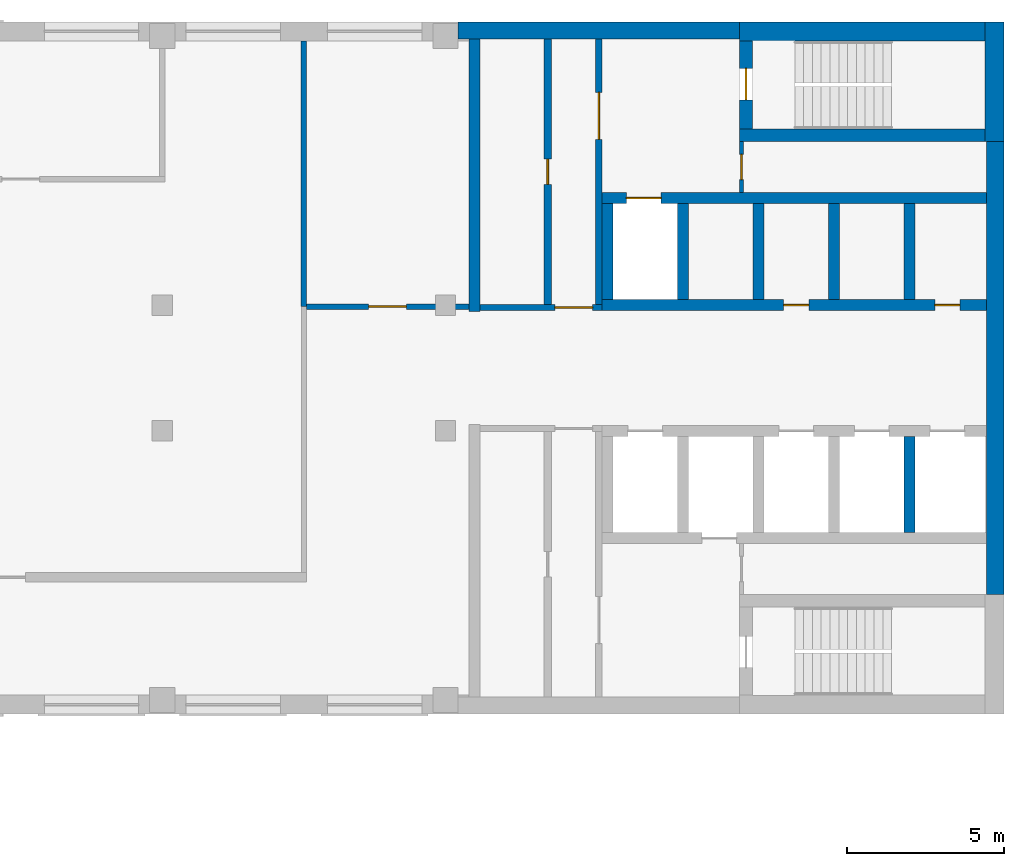
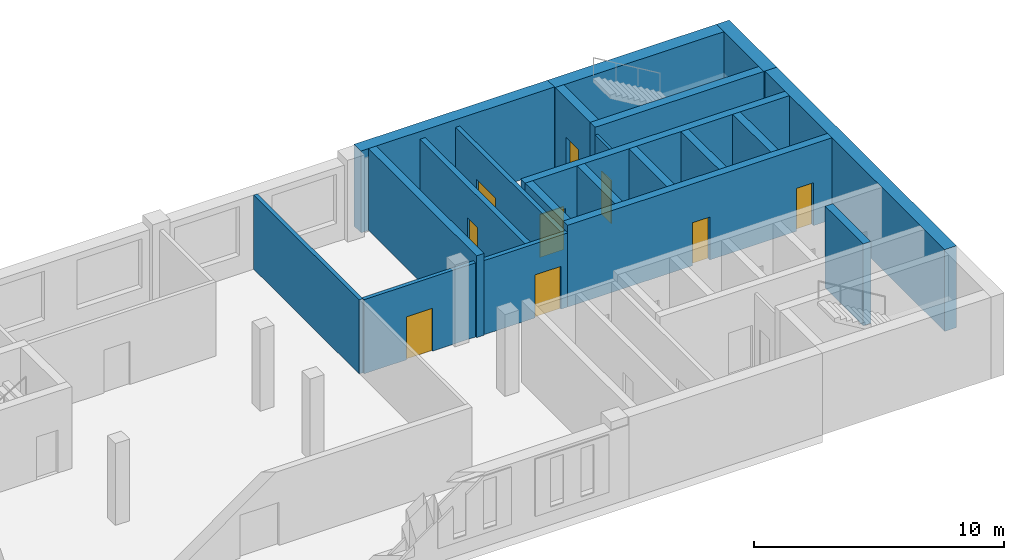
# One storey, part 6 of 8: 21 walls, 9 doors, 9 openings.
"""IFC4 building model written with IfcOpenShell, lengths in metres."""

from ifc_helpers import new_model, si_unit, direction, frame, frame_2d, origin, place, context, subcontext, project, spatial, rectangle, extrude, material, layer, layer_set, type_object, element, fill, save


model = new_model("IFC4")

# Units and contexts
model_context = context("Model", 3, precision=1e-05, world=origin(), true_north=direction((0.0, 1.0)))
body_context = subcontext(model_context, "Body", "Model", "MODEL_VIEW")
ifc_project = project(units=[si_unit("LENGTHUNIT", "METRE"), si_unit("AREAUNIT", "SQUARE_METRE"), si_unit("VOLUMEUNIT", "CUBIC_METRE"), si_unit("PLANEANGLEUNIT", "RADIAN"), si_unit("MASSUNIT", "GRAM", prefix="KILO")], contexts=[model_context])

# Site, building, storey
site_placement = place(None, origin())
site = spatial("IfcSite", under=ifc_project, at=site_placement, CompositionType="ELEMENT")
building_placement = place(site_placement, origin())
building = spatial("IfcBuilding", under=site, at=building_placement, Name="Skarvind Civic Tower", CompositionType="ELEMENT")
storey_placement = place(building_placement, frame((0.0, 0.0, 150.5)))
storey = spatial("IfcBuildingStorey", under=building, at=storey_placement, Name="L35", CompositionType="ELEMENT", Elevation=150.5)

# Wall
ifc_material_1 = material(Name="Acoustic gypsum board on steel studs", Category="steel")
ifc_layer_1 = layer(ifc_material_1, 0.175048828125)
ifc_layer_set_1 = layer_set([ifc_layer_1], Name="ACOUSTIC MEETING-ROOM PARTITION 175")
wall_type_1 = type_object("IfcWallType", Name="ACOUSTIC MEETING-ROOM PARTITION 175", PredefinedType="PARTITIONING", material=ifc_layer_set_1)
wall_1_placement = place(storey_placement, frame((85.75, 129.949951171875, 0.0), z_axis=(0.0, 0.0, 1.0), x_axis=(0.0, 1.0, 0.0)))
element("IfcWall", 1, at=wall_1_placement, inside=storey, type_object=wall_type_1, Name="Partition 35.044", PredefinedType="PARTITIONING", context=body_context, shape_type="SweptSolid", body=[
    extrude(rectangle(XDim=8.449951171875, YDim=0.175048828125, at=frame_2d((4.22509765625, 0.0))), origin(), (0.0, 0.0, 1.0), 3.625),
])

# Wall, opening, door
wall_2_placement = place(storey_placement, frame((85.837890625, 129.949951171875, 0.0), z_axis=(0.0, 0.0, 1.0), x_axis=(1.0, 0.0, 0.0)))
wall_2 = element("IfcWall", 2, at=wall_2_placement, inside=storey, type_object=wall_type_1, Name="Partition 35.045", PredefinedType="PARTITIONING", context=body_context, shape_type="SweptSolid", body=[
    extrude(rectangle(XDim=5.162109375, YDim=0.175048828125, at=frame_2d((2.5810546875, 0.0))), origin(), (0.0, 0.0, 1.0), 3.625),
])
opening_1_placement = place(wall_2_placement, frame((1.970947265625, 0.0, 0.0)))
opening_1 = element("IfcOpeningElement", 3, at=opening_1_placement, cuts=wall_2, Name="Opening L35-D001", PredefinedType="OPENING", context=body_context, shape_type="SweptSolid", body=[
    extrude(rectangle(XDim=1.199951171875, YDim=2.10009765625, at=frame_2d((0.60009765625, 1.050048828125))), frame((0.0, 0.097412109375, 0.0), z_axis=(0.0, -1.0, 0.0), x_axis=(1.0, 0.0, 0.0)), (0.0, 0.0, 1.0), 0.195068359375),
])
ifc_material_2 = material(Name="Timber door leaf", Category="wood")
door_type_1 = type_object("IfcDoorType", Name="DOOR 1200X2100 DOUBLE TIMBER", OperationType="NOTDEFINED", PredefinedType="DOOR", material=ifc_material_2)
door_1_placement = place(opening_1_placement, origin())
door_1 = element("IfcDoor", 4, at=door_1_placement, inside=storey, type_object=door_type_1, Name="Door L35-D001", OperationType="DOUBLE_DOOR_SINGLE_SWING", OverallHeight=2.10009765625, OverallWidth=1.199951171875, PredefinedType="DOOR", context=body_context, shape_type="SweptSolid", body=[
    extrude(rectangle(XDim=1.199951171875, YDim=2.10009765625, at=frame_2d((0.60009765625, 1.050048828125))), frame((0.0, 0.02490234375, 0.0), z_axis=(0.0, -1.0, 0.0), x_axis=(1.0, 0.0, 0.0)), (0.0, 0.0, 1.0), 0.050048828125),
])
fill(opening_1, door_1)

ifc_material_3 = material(Name="Fire-rated masonry partition", Category="masonry")
ifc_layer_2 = layer(ifc_material_3, 0.199951171875)
ifc_layer_set_2 = layer_set([ifc_layer_2], Name="Core enclosure wall 200")
wall_type_2 = type_object("IfcWallType", Name="Core enclosure wall 200", PredefinedType="PARTITIONING", material=ifc_layer_set_2)
wall_3_placement = place(storey_placement, frame((91.35009765625, 129.925048828125, 0.0), z_axis=(0.0, 0.0, 1.0), x_axis=(1.0, 0.0, 0.0)))
wall_3 = element("IfcWall", 5, at=wall_3_placement, inside=storey, type_object=wall_type_2, Name="Core wall C1", PredefinedType="PARTITIONING", context=body_context, shape_type="SweptSolid", body=[
    extrude(rectangle(XDim=3.875, YDim=0.199951171875, at=frame_2d((1.9375, 0.0))), origin(), (0.0, 0.0, 1.0), 3.625),
])
opening_2_placement = place(wall_3_placement, frame((2.375, 0.0, 0.0)))
opening_2 = element("IfcOpeningElement", 6, at=opening_2_placement, cuts=wall_3, Name="Opening D-L35-C1-12", PredefinedType="OPENING", context=body_context, shape_type="SweptSolid", body=[
    extrude(rectangle(XDim=1.199951171875, YDim=2.10009765625, at=frame_2d((0.60009765625, 1.050048828125))), frame((0.0, 0.10986328125, 0.0), z_axis=(0.0, -1.0, 0.0), x_axis=(1.0, 0.0, 0.0)), (0.0, 0.0, 1.0), 0.219970703125),
])
ifc_material_4 = material(Name="Fire-rated steel door", Category="steel")
door_type_2 = type_object("IfcDoorType", Name="Core lobby door 1200", OperationType="NOTDEFINED", PredefinedType="DOOR", material=ifc_material_4)
door_2_placement = place(opening_2_placement, origin())
door_2 = element("IfcDoor", 7, at=door_2_placement, inside=storey, type_object=door_type_2, Name="Fire door", OperationType="DOUBLE_DOOR_SINGLE_SWING", OverallHeight=2.10009765625, OverallWidth=1.199951171875, PredefinedType="DOOR", context=body_context, shape_type="SweptSolid", body=[
    extrude(rectangle(XDim=1.199951171875, YDim=2.10009765625, at=frame_2d((0.60009765625, 1.050048828125))), frame((0.0, 0.02490234375, 0.0), z_axis=(0.0, -1.0, 0.0), x_axis=(1.0, 0.0, 0.0)), (0.0, 0.0, 1.0), 0.050048828125),
])
fill(opening_2, door_2)

wall_4_placement = place(storey_placement, frame((95.125, 130.02490234375, 0.0), z_axis=(0.0, 0.0, 1.0), x_axis=(0.0, 1.0, 0.0)))
wall_4 = element("IfcWall", 8, at=wall_4_placement, inside=storey, type_object=wall_type_2, Name="Core wall C1", PredefinedType="PARTITIONING", context=body_context, shape_type="SweptSolid", body=[
    extrude(rectangle(XDim=8.425048828125, YDim=0.199951171875, at=frame_2d((4.21240234375, 0.0))), origin(), (0.0, 0.0, 1.0), 3.625),
])
opening_3_placement = place(wall_4_placement, frame((5.237548828125, 0.0, 0.0)))
opening_3 = element("IfcOpeningElement", 9, at=opening_3_placement, cuts=wall_4, Name="Opening D-L35-C1-13", PredefinedType="OPENING", context=body_context, shape_type="SweptSolid", body=[
    extrude(rectangle(XDim=1.5, YDim=2.10009765625, at=frame_2d((0.75, 1.050048828125))), frame((0.0, 0.10986328125, 0.0), z_axis=(0.0, -1.0, 0.0), x_axis=(1.0, 0.0, 0.0)), (0.0, 0.0, 1.0), 0.219970703125),
])
door_type_3 = type_object("IfcDoorType", Name="Fire door 1500", OperationType="NOTDEFINED", PredefinedType="DOOR", material=ifc_material_4)
door_3_placement = place(opening_3_placement, origin())
door_3 = element("IfcDoor", 10, at=door_3_placement, inside=storey, type_object=door_type_3, Name="Fire door", OperationType="DOUBLE_DOOR_SINGLE_SWING", OverallHeight=2.10009765625, OverallWidth=1.5, PredefinedType="DOOR", context=body_context, shape_type="SweptSolid", body=[
    extrude(rectangle(XDim=1.5, YDim=2.10009765625, at=frame_2d((0.75, 1.050048828125))), frame((0.0, 0.02490234375, 0.0), z_axis=(0.0, -1.0, 0.0), x_axis=(1.0, 0.0, 0.0)), (0.0, 0.0, 1.0), 0.050048828125),
])
fill(opening_3, door_3)

# Wall, openings, doors
ifc_material_5 = material(Name="Concrete C60", Category="concrete")
ifc_layer_3 = layer(ifc_material_5, 0.35009765625)
ifc_layer_set_3 = layer_set([ifc_layer_3], Name="Core wall 350 C60")
wall_type_3 = type_object("IfcWallType", Name="Core wall 350 C60", PredefinedType="SHEAR", material=ifc_layer_set_3)
wall_5_placement = place(storey_placement, frame((107.449951171875, 130.0, 0.0), z_axis=(0.0, 0.0, 1.0), x_axis=(-1.0, 0.0, 0.0)))
wall_5 = element("IfcWall", 11, at=wall_5_placement, inside=storey, type_object=wall_type_3, Name="Core wall C1 south lift row front L35", PredefinedType="SHEAR", context=body_context, shape_type="SweptSolid", body=[
    extrude(rectangle(XDim=12.224853515625, YDim=0.35009765625, at=frame_2d((6.1123046875, 0.0))), origin(), (0.0, 0.0, 1.0), 4.0),
])
opening_4_placement = place(wall_5_placement, frame((0.85009765625, 0.0, 0.0)))
opening_4 = element("IfcOpeningElement", 12, at=opening_4_placement, cuts=wall_5, Name="Opening D-L35-C1-05", PredefinedType="OPENING", context=body_context, shape_type="SweptSolid", body=[
    extrude(rectangle(XDim=0.800048828125, YDim=2.10009765625, at=frame_2d((0.39990234375, 1.050048828125))), frame((0.0, 0.18505859375, 0.0), z_axis=(0.0, -1.0, 0.0), x_axis=(1.0, 0.0, 0.0)), (0.0, 0.0, 1.0), 0.3701171875),
])
opening_5_placement = place(wall_5_placement, frame((5.64990234375, 0.0, 0.0)))
opening_5 = element("IfcOpeningElement", 13, at=opening_5_placement, cuts=wall_5, Name="Opening D-L35-C1-06", PredefinedType="OPENING", context=body_context, shape_type="SweptSolid", body=[
    extrude(rectangle(XDim=0.800048828125, YDim=2.10009765625, at=frame_2d((0.39990234375, 1.050048828125))), frame((0.0, 0.18505859375, 0.0), z_axis=(0.0, -1.0, 0.0), x_axis=(1.0, 0.0, 0.0)), (0.0, 0.0, 1.0), 0.3701171875),
])
door_type_4 = type_object("IfcDoorType", Name="Core riser door 800", OperationType="NOTDEFINED", PredefinedType="DOOR", material=ifc_material_4)
door_4_placement = place(opening_4_placement, origin())
door_4 = element("IfcDoor", 14, at=door_4_placement, inside=storey, type_object=door_type_4, Name="Riser door", OperationType="SINGLE_SWING_LEFT", OverallHeight=2.10009765625, OverallWidth=0.800048828125, PredefinedType="DOOR", context=body_context, shape_type="SweptSolid", body=[
    extrude(rectangle(XDim=0.800048828125, YDim=2.10009765625, at=frame_2d((0.39990234375, 1.050048828125))), frame((0.0, 0.02490234375, 0.0), z_axis=(0.0, -1.0, 0.0), x_axis=(1.0, 0.0, 0.0)), (0.0, 0.0, 1.0), 0.050048828125),
])
fill(opening_4, door_4)
door_5_placement = place(opening_5_placement, origin())
door_5 = element("IfcDoor", 15, at=door_5_placement, inside=storey, type_object=door_type_4, Name="Riser door", OperationType="SINGLE_SWING_RIGHT", OverallHeight=2.10009765625, OverallWidth=0.800048828125, PredefinedType="DOOR", context=body_context, shape_type="SweptSolid", body=[
    extrude(rectangle(XDim=0.800048828125, YDim=2.10009765625, at=frame_2d((0.39990234375, 1.050048828125))), frame((0.0, 0.02490234375, 0.0), z_axis=(0.0, -1.0, 0.0), x_axis=(1.0, 0.0, 0.0)), (0.0, 0.0, 1.0), 0.050048828125),
])
fill(opening_5, door_5)

# Wall, opening, door
wall_6_placement = place(storey_placement, frame((107.449951171875, 133.39990234375, 0.0), z_axis=(0.0, 0.0, 1.0), x_axis=(-1.0, 0.0, 0.0)))
wall_6 = element("IfcWall", 16, at=wall_6_placement, inside=storey, type_object=wall_type_3, Name="Core wall C1 south lift row back L35", PredefinedType="SHEAR", context=body_context, shape_type="SweptSolid", body=[
    extrude(rectangle(XDim=12.224853515625, YDim=0.35009765625, at=frame_2d((6.1123046875, 0.0))), origin(), (0.0, 0.0, 1.0), 4.0),
])
opening_6_placement = place(wall_6_placement, frame((10.35009765625, 0.0, 0.0)))
opening_6 = element("IfcOpeningElement", 17, at=opening_6_placement, cuts=wall_6, Name="Opening LD37110", PredefinedType="OPENING", context=body_context, shape_type="SweptSolid", body=[
    extrude(rectangle(XDim=1.10009765625, YDim=2.10009765625, at=frame_2d((0.550048828125, 1.050048828125))), frame((0.0, 0.18505859375, 0.0), z_axis=(0.0, -1.0, 0.0), x_axis=(1.0, 0.0, 0.0)), (0.0, 0.0, 1.0), 0.3701171875),
])
ifc_material_6 = material(Name="Stainless steel landing door", Category="steel")
door_type_5 = type_object("IfcDoorType", Name="Lift landing door 1100", OperationType="DOUBLE_DOOR_SLIDING", PredefinedType="DOOR", material=ifc_material_6)
door_6_placement = place(opening_6_placement, origin())
door_6 = element("IfcDoor", 18, at=door_6_placement, inside=storey, type_object=door_type_5, Name="Lift landing door", OperationType="DOUBLE_DOOR_SLIDING", OverallHeight=2.10009765625, OverallWidth=1.10009765625, PredefinedType="DOOR", context=body_context, shape_type="SweptSolid", body=[
    extrude(rectangle(XDim=1.10009765625, YDim=2.10009765625, at=frame_2d((0.550048828125, 1.050048828125))), frame((0.0, 0.02490234375, 0.0), z_axis=(0.0, -1.0, 0.0), x_axis=(1.0, 0.0, 0.0)), (0.0, 0.0, 1.0), 0.050048828125),
])
fill(opening_6, door_6)

# Walls
for number, where, z_axis, x_axis, name in (
    (19, (105.0, 133.22509765625, 0.0), (0.0, 0.0, 1.0), (0.0, -1.0, 0.0), "Core wall C1 south lift row division 1 L35"),
    (20, (102.60009765625, 133.22509765625, 0.0), (0.0, 0.0, 1.0), (0.0, -1.0, 0.0), "Core wall C1 south lift row division 2 L35"),
    (21, (100.199951171875, 133.22509765625, 0.0), (0.0, 0.0, 1.0), (0.0, -1.0, 0.0), "Core wall C1 south lift row division 3 L35"),
    (22, (97.800048828125, 133.22509765625, 0.0), (0.0, 0.0, 1.0), (0.0, -1.0, 0.0), "Core wall C1 south lift row division 4 L35"),
    (23, (95.39990234375, 133.22509765625, 0.0), (0.0, 0.0, 1.0), (0.0, -1.0, 0.0), "Core wall C1 south lift row division 5 L35"),
    (24, (105.0, 125.824951171875, 0.0), (0.0, 0.0, 1.0), (0.0, -1.0, 0.0), "Core wall C1 north lift row division 1 L35"),
):
    element("IfcWall", number, at=place(storey_placement, frame(where, z_axis=z_axis, x_axis=x_axis)), inside=storey, type_object=wall_type_3, Name=name, PredefinedType="SHEAR", context=body_context, shape_type="SweptSolid", body=[
        extrude(rectangle(XDim=3.050048828125, YDim=0.35009765625, at=frame_2d((1.52490234375, 0.0))), origin(), (0.0, 0.0, 1.0), 4.0),
    ])
wall_7_placement = place(storey_placement, frame((91.175048828125, 138.449951171875, 0.0), z_axis=(0.0, 0.0, 1.0), x_axis=(0.0, -1.0, 0.0)))
element("IfcWall", 25, at=wall_7_placement, inside=storey, type_object=wall_type_3, Name="Core wall C1 south inner face L35", PredefinedType="SHEAR", context=body_context, shape_type="SweptSolid", body=[
    extrude(rectangle(XDim=8.64990234375, YDim=0.35009765625, at=frame_2d((4.324951171875, 0.0))), origin(), (0.0, 0.0, 1.0), 4.0),
])
ifc_layer_4 = layer(ifc_material_5, 0.39990234375)
ifc_layer_set_4 = layer_set([ifc_layer_4], Name="Core wall 400 C60")
wall_type_4 = type_object("IfcWallType", Name="Core wall 400 C60", PredefinedType="SHEAR", material=ifc_layer_set_4)
wall_8_placement = place(storey_placement, frame((107.39990234375, 135.39990234375, 0.0), z_axis=(0.0, 0.0, 1.0), x_axis=(-1.0, 0.0, 0.0)))
element("IfcWall", 26, at=wall_8_placement, inside=storey, type_object=wall_type_4, Name="Core wall C1 south stair inner L35", PredefinedType="SHEAR", context=body_context, shape_type="SweptSolid", body=[
    extrude(rectangle(XDim=7.7998046875, YDim=0.39990234375, at=frame_2d((3.89990234375, 0.0))), origin(), (0.0, 0.0, 1.0), 4.0),
])

# Wall, opening, door
wall_9_placement = place(storey_placement, frame((99.800048828125, 138.39990234375, 0.0), z_axis=(0.0, 0.0, 1.0), x_axis=(0.0, -1.0, 0.0)))
wall_9 = element("IfcWall", 27, at=wall_9_placement, inside=storey, type_object=wall_type_4, Name="Core wall C1 south stair end L35", PredefinedType="SHEAR", context=body_context, shape_type="SweptSolid", body=[
    extrude(rectangle(XDim=2.7998046875, YDim=0.39990234375, at=frame_2d((1.39990234375, 0.0))), origin(), (0.0, 0.0, 1.0), 4.0),
])
opening_7_placement = place(wall_9_placement, frame((0.875, 0.0, 0.0)))
opening_7 = element("IfcOpeningElement", 28, at=opening_7_placement, cuts=wall_9, Name="Opening D-L35-C1-14", PredefinedType="OPENING", context=body_context, shape_type="SweptSolid", body=[
    extrude(rectangle(XDim=1.0, YDim=2.10009765625, at=frame_2d((0.5, 1.050048828125))), frame((0.0, 0.2099609375, 0.0), z_axis=(0.0, -1.0, 0.0), x_axis=(1.0, 0.0, 0.0)), (0.0, 0.0, 1.0), 0.419921875),
])
door_type_6 = type_object("IfcDoorType", Name="Fire door 1000", OperationType="NOTDEFINED", PredefinedType="DOOR", material=ifc_material_4)
door_7_placement = place(opening_7_placement, origin())
door_7 = element("IfcDoor", 29, at=door_7_placement, inside=storey, type_object=door_type_6, Name="Fire door", OperationType="SINGLE_SWING_RIGHT", OverallHeight=2.10009765625, OverallWidth=1.0, PredefinedType="DOOR", context=body_context, shape_type="SweptSolid", body=[
    extrude(rectangle(XDim=1.0, YDim=2.10009765625, at=frame_2d((0.5, 1.050048828125))), frame((0.0, 0.02490234375, 0.0), z_axis=(0.0, -1.0, 0.0), x_axis=(1.0, 0.0, 0.0)), (0.0, 0.0, 1.0), 0.050048828125),
])
fill(opening_7, door_7)

# Walls
ifc_layer_5 = layer(ifc_material_5, 0.550048828125)
ifc_layer_set_5 = layer_set([ifc_layer_5], Name="Core wall 550 C60")
wall_type_5 = type_object("IfcWallType", Name="Core wall 550 C60", PredefinedType="SHEAR", material=ifc_layer_set_5)
wall_10_placement = place(storey_placement, frame((107.72509765625, 135.199951171875, 0.0), z_axis=(0.0, 0.0, 1.0), x_axis=(0.0, -1.0, 0.0)))
element("IfcWall", 30, at=wall_10_placement, inside=storey, type_object=wall_type_5, Name="Core wall C1 tip between the stairs L35", PredefinedType="SHEAR", context=body_context, shape_type="SweptSolid", body=[
    extrude(rectangle(XDim=14.39990234375, YDim=0.550048828125, at=frame_2d((7.199951171875, 0.0))), origin(), (0.0, 0.0, 1.0), 4.0),
])
wall_11_placement = place(storey_placement, frame((99.60009765625, 138.72509765625, 0.0), z_axis=(0.0, 0.0, 1.0), x_axis=(-1.0, 0.0, 0.0)))
element("IfcWall", 31, at=wall_11_placement, inside=storey, type_object=wall_type_5, Name="Core wall C1 south side L35", PredefinedType="SHEAR", context=body_context, shape_type="SweptSolid", body=[
    extrude(rectangle(XDim=8.9501953125, YDim=0.550048828125, at=frame_2d((4.47509765625, 0.0))), origin(), (0.0, 0.0, 1.0), 4.0),
])
ifc_layer_6 = layer(ifc_material_5, 0.60009765625)
ifc_layer_set_6 = layer_set([ifc_layer_6], Name="Core wall 600 C60")
wall_type_6 = type_object("IfcWallType", Name="Core wall 600 C60", PredefinedType="SHEAR", material=ifc_layer_set_6)
wall_12_placement = place(storey_placement, frame((107.699951171875, 139.0, 0.0), z_axis=(0.0, 0.0, 1.0), x_axis=(0.0, -1.0, 0.0)))
element("IfcWall", 32, at=wall_12_placement, inside=storey, type_object=wall_type_6, Name="Core wall C1 tip at the south stair L35", PredefinedType="SHEAR", context=body_context, shape_type="SweptSolid", body=[
    extrude(rectangle(XDim=3.800048828125, YDim=0.60009765625, at=frame_2d((1.89990234375, 0.0))), origin(), (0.0, 0.0, 1.0), 4.0),
])
wall_13_placement = place(storey_placement, frame((107.39990234375, 138.699951171875, 0.0), z_axis=(0.0, 0.0, 1.0), x_axis=(-1.0, 0.0, 0.0)))
element("IfcWall", 33, at=wall_13_placement, inside=storey, type_object=wall_type_6, Name="Core wall C1 south side at the stair L35", PredefinedType="SHEAR", context=body_context, shape_type="SweptSolid", body=[
    extrude(rectangle(XDim=7.7998046875, YDim=0.60009765625, at=frame_2d((3.89990234375, 0.0))), origin(), (0.0, 0.0, 1.0), 4.0),
])

# Wall, opening, door
ifc_layer_7 = layer(ifc_material_3, 0.125)
ifc_layer_set_7 = layer_set([ifc_layer_7], Name="Riser wall 125")
wall_type_7 = type_object("IfcWallType", Name="Riser wall 125", PredefinedType="PARTITIONING", material=ifc_layer_set_7)
wall_14_placement = place(storey_placement, frame((99.66259765625, 133.574951171875, 0.0), z_axis=(0.0, 0.0, 1.0), x_axis=(0.0, 1.0, 0.0)))
wall_14 = element("IfcWall", 34, at=wall_14_placement, inside=storey, type_object=wall_type_7, Name="Core wall C1", PredefinedType="PARTITIONING", context=body_context, shape_type="SweptSolid", body=[
    extrude(rectangle(XDim=1.625, YDim=0.125, at=frame_2d((0.8125, 0.0))), origin(), (0.0, 0.0, 1.0), 3.625),
])
opening_8_placement = place(wall_14_placement, frame((0.41259765625, 0.0, 0.0)))
opening_8 = element("IfcOpeningElement", 35, at=opening_8_placement, cuts=wall_14, Name="Opening D-L35-C1-15", PredefinedType="OPENING", context=body_context, shape_type="SweptSolid", body=[
    extrude(rectangle(XDim=0.800048828125, YDim=2.10009765625, at=frame_2d((0.39990234375, 1.050048828125))), frame((0.0, 0.072509765625, 0.0), z_axis=(0.0, -1.0, 0.0), x_axis=(1.0, 0.0, 0.0)), (0.0, 0.0, 1.0), 0.14501953125),
])
door_8_placement = place(opening_8_placement, origin())
door_8 = element("IfcDoor", 36, at=door_8_placement, inside=storey, type_object=door_type_4, Name="Riser door", OperationType="SINGLE_SWING_LEFT", OverallHeight=2.10009765625, OverallWidth=0.800048828125, PredefinedType="DOOR", context=body_context, shape_type="SweptSolid", body=[
    extrude(rectangle(XDim=0.800048828125, YDim=2.10009765625, at=frame_2d((0.39990234375, 1.050048828125))), frame((0.0, 0.02490234375, 0.0), z_axis=(0.0, -1.0, 0.0), x_axis=(1.0, 0.0, 0.0)), (0.0, 0.0, 1.0), 0.050048828125),
])
fill(opening_8, door_8)

ifc_layer_8 = layer(ifc_material_3, 0.25)
ifc_layer_set_8 = layer_set([ifc_layer_8], Name="Service block wall 250")
wall_type_8 = type_object("IfcWallType", Name="Service block wall 250", PredefinedType="PARTITIONING", material=ifc_layer_set_8)
wall_15_placement = place(storey_placement, frame((93.5, 130.02490234375, 0.0), z_axis=(0.0, 0.0, 1.0), x_axis=(0.0, 1.0, 0.0)))
wall_15 = element("IfcWall", 37, at=wall_15_placement, inside=storey, type_object=wall_type_8, Name="Core wall C1", PredefinedType="PARTITIONING", context=body_context, shape_type="SweptSolid", body=[
    extrude(rectangle(XDim=8.425048828125, YDim=0.25, at=frame_2d((4.21240234375, 0.0))), origin(), (0.0, 0.0, 1.0), 3.625),
])
opening_9_placement = place(wall_15_placement, frame((3.8125, 0.0, 0.0)))
opening_9 = element("IfcOpeningElement", 38, at=opening_9_placement, cuts=wall_15, Name="Opening D-L35-C1-16", PredefinedType="OPENING", context=body_context, shape_type="SweptSolid", body=[
    extrude(rectangle(XDim=0.800048828125, YDim=2.10009765625, at=frame_2d((0.39990234375, 1.050048828125))), frame((0.0, 0.135009765625, 0.0), z_axis=(0.0, -1.0, 0.0), x_axis=(1.0, 0.0, 0.0)), (0.0, 0.0, 1.0), 0.27001953125),
])
door_9_placement = place(opening_9_placement, origin())
door_9 = element("IfcDoor", 39, at=door_9_placement, inside=storey, type_object=door_type_4, Name="Riser door", OperationType="SINGLE_SWING_RIGHT", OverallHeight=2.10009765625, OverallWidth=0.800048828125, PredefinedType="DOOR", context=body_context, shape_type="SweptSolid", body=[
    extrude(rectangle(XDim=0.800048828125, YDim=2.10009765625, at=frame_2d((0.39990234375, 1.050048828125))), frame((0.0, 0.02490234375, 0.0), z_axis=(0.0, -1.0, 0.0), x_axis=(1.0, 0.0, 0.0)), (0.0, 0.0, 1.0), 0.050048828125),
])
fill(opening_9, door_9)

save(model, "model.ifc")
